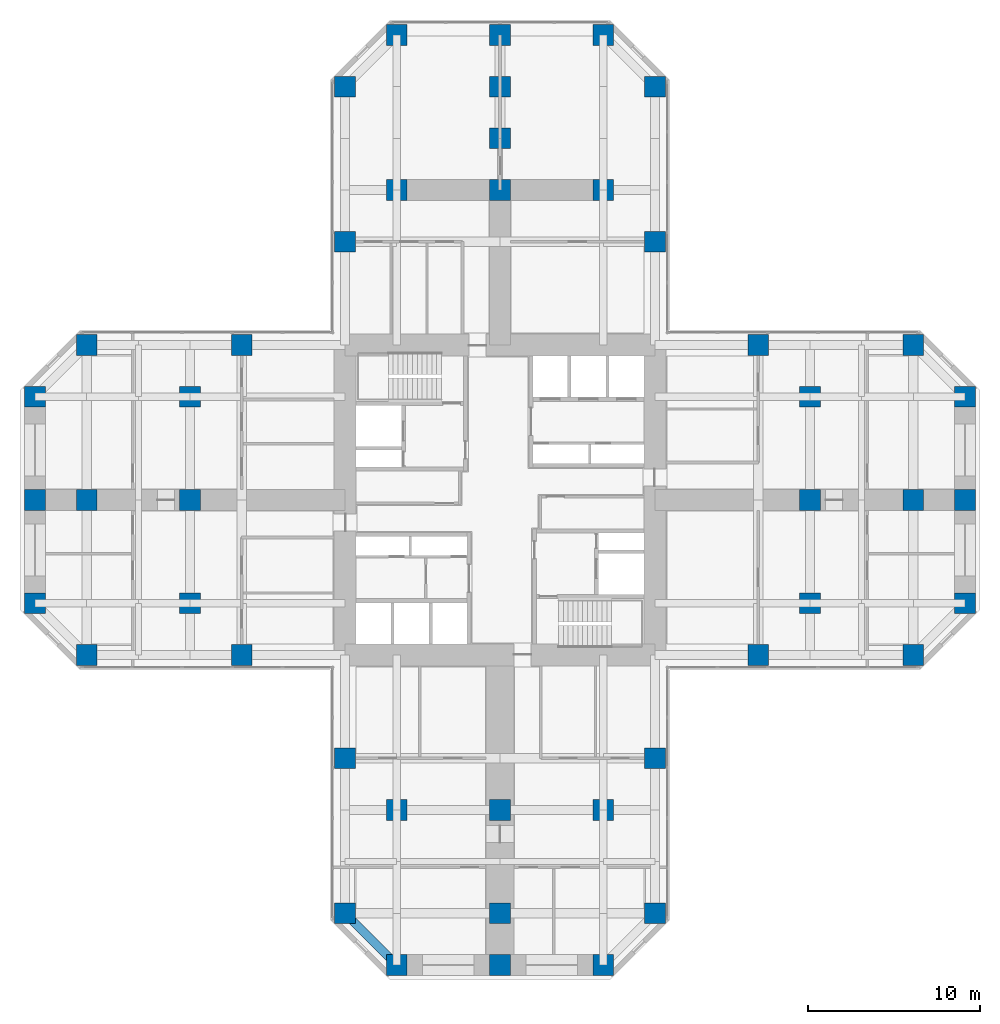
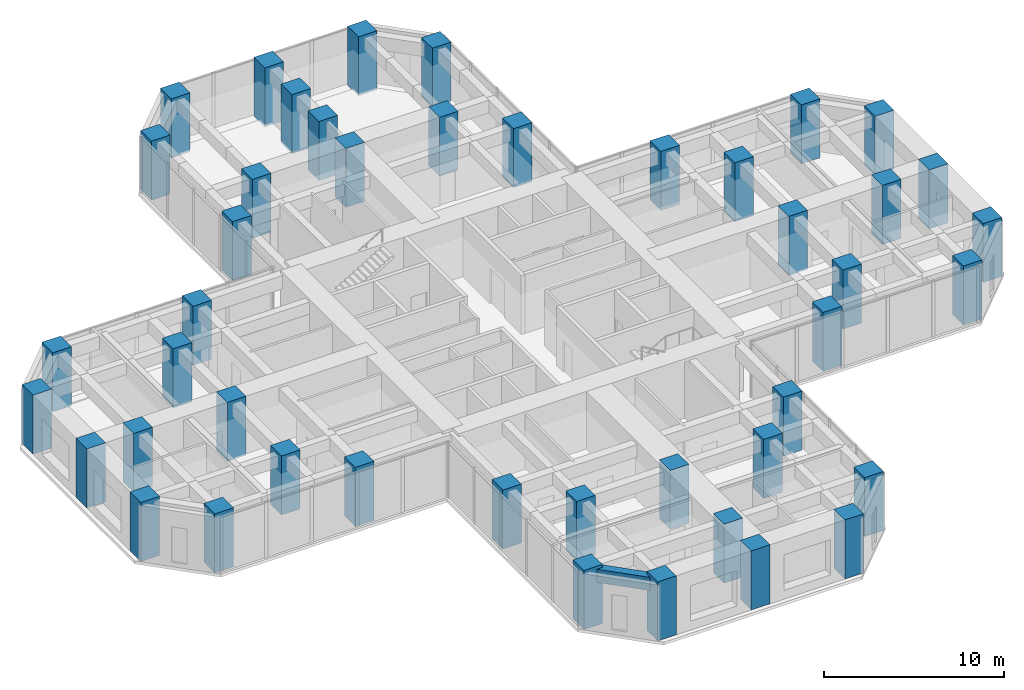
# One storey, part 1 of 13: 45 columns, 1 beam.
"""IFC4 building model written with IfcOpenShell, lengths in metres."""

from ifc_helpers import new_model, si_unit, direction, frame, origin, origin_2d, place, context, subcontext, project, spatial, rectangle, extrude, material, material_profile, profile_set, type_object, element, save


model = new_model("IFC4")

# Units and contexts
model_context = context("Model", 3, precision=1e-05, world=origin(), true_north=direction((0.0, 1.0)))
body_context = subcontext(model_context, "Body", "Model", "MODEL_VIEW")
ifc_project = project(units=[si_unit("LENGTHUNIT", "METRE"), si_unit("AREAUNIT", "SQUARE_METRE"), si_unit("VOLUMEUNIT", "CUBIC_METRE"), si_unit("PLANEANGLEUNIT", "RADIAN"), si_unit("MASSUNIT", "GRAM", prefix="KILO")], contexts=[model_context])

# Site, building, storey
site_placement = place(None, origin())
site = spatial("IfcSite", under=ifc_project, at=site_placement, CompositionType="ELEMENT")
building_placement = place(site_placement, origin())
building = spatial("IfcBuilding", under=site, at=building_placement, Name="Torre Cruceta", CompositionType="ELEMENT")
storey_placement = place(building_placement, frame((0.0, 0.0, 51.5)))
storey = spatial("IfcBuildingStorey", under=building, at=storey_placement, Name="L12", CompositionType="ELEMENT", Elevation=51.5)

# Columns
ifc_material_1 = material(Name="Concrete G60 (fck 60 MPa)", Category="concrete")
ifc_material_profile_1 = material_profile(ifc_material_1, rectangle(XDim=1.199951171875, YDim=1.199951171875, at=origin_2d()), Name="RC 1200X1200")
ifc_profile_set_1 = profile_set([ifc_material_profile_1], Name="Concrete G60 (fck 60 MPa)")
column_type = type_object("IfcColumnType", Name="COLUMN RC 1200X1200", PredefinedType="COLUMN", material=ifc_profile_set_1)
for number, where, z_axis, x_axis, name in (
    (1, (9.0, 15.0, 0.0), (0.0, 0.0, 1.0), (1.0, 0.0, 0.0), "C3 L12 N side"),
    (2, (9.0, 24.0, 0.0), (0.0, 0.0, 1.0), (1.0, 0.0, 0.0), "C3 L12 N chamfer"),
    (3, (-9.0, 15.0, 0.0), (0.0, 0.0, 1.0), (1.0, 0.0, 0.0), "C3 L12 N side"),
    (4, (-9.0, 24.0, 0.0), (0.0, 0.0, 1.0), (1.0, 0.0, 0.0), "C3 L12 N chamfer"),
    (5, (6.0, 27.0, 0.0), (0.0, 0.0, 1.0), (1.0, 0.0, 0.0), "C3 L12 N tip"),
    (6, (0.0, 27.0, 0.0), (0.0, 0.0, 1.0), (1.0, 0.0, 0.0), "C3 L12 N tip"),
    (7, (-6.0, 27.0, 0.0), (0.0, 0.0, 1.0), (1.0, 0.0, 0.0), "C3 L12 N tip"),
    (8, (15.0, -9.0, 0.0), (0.0, 0.0, 1.0), (1.0, 0.0, 0.0), "C3 L12 E side"),
    (9, (24.0, -9.0, 0.0), (0.0, 0.0, 1.0), (1.0, 0.0, 0.0), "C3 L12 E chamfer"),
    (10, (15.0, 9.0, 0.0), (0.0, 0.0, 1.0), (1.0, 0.0, 0.0), "C3 L12 E side"),
    (11, (24.0, 9.0, 0.0), (0.0, 0.0, 1.0), (1.0, 0.0, 0.0), "C3 L12 E chamfer"),
    (12, (27.0, -6.0, 0.0), (0.0, 0.0, 1.0), (1.0, 0.0, 0.0), "C3 L12 E tip"),
    (13, (27.0, 0.0, 0.0), (0.0, 0.0, 1.0), (1.0, 0.0, 0.0), "C3 L12 E tip"),
    (14, (27.0, 6.0, 0.0), (0.0, 0.0, 1.0), (1.0, 0.0, 0.0), "C3 L12 E tip"),
    (15, (-9.0, -15.0, 0.0), (0.0, 0.0, 1.0), (1.0, 0.0, 0.0), "C3 L12 S side"),
    (16, (-9.0, -24.0, 0.0), (0.0, 0.0, 1.0), (1.0, 0.0, 0.0), "C3 L12 S chamfer"),
    (17, (9.0, -15.0, 0.0), (0.0, 0.0, 1.0), (1.0, 0.0, 0.0), "C3 L12 S side"),
    (18, (9.0, -24.0, 0.0), (0.0, 0.0, 1.0), (1.0, 0.0, 0.0), "C3 L12 S chamfer"),
    (19, (-6.0, -27.0, 0.0), (0.0, 0.0, 1.0), (1.0, 0.0, 0.0), "C3 L12 S tip"),
    (20, (0.0, -27.0, 0.0), (0.0, 0.0, 1.0), (1.0, 0.0, 0.0), "C3 L12 S tip"),
    (21, (6.0, -27.0, 0.0), (0.0, 0.0, 1.0), (1.0, 0.0, 0.0), "C3 L12 S tip"),
    (22, (-15.0, 9.0, 0.0), (0.0, 0.0, 1.0), (1.0, 0.0, 0.0), "C3 L12 W side"),
    (23, (-24.0, 9.0, 0.0), (0.0, 0.0, 1.0), (1.0, 0.0, 0.0), "C3 L12 W chamfer"),
    (24, (-15.0, -9.0, 0.0), (0.0, 0.0, 1.0), (1.0, 0.0, 0.0), "C3 L12 W side"),
    (25, (-24.0, -9.0, 0.0), (0.0, 0.0, 1.0), (1.0, 0.0, 0.0), "C3 L12 W chamfer"),
    (26, (-27.0, 6.0, 0.0), (0.0, 0.0, 1.0), (1.0, 0.0, 0.0), "C3 L12 W tip"),
    (27, (-27.0, 0.0, 0.0), (0.0, 0.0, 1.0), (1.0, 0.0, 0.0), "C3 L12 W tip"),
    (28, (-27.0, -6.0, 0.0), (0.0, 0.0, 1.0), (1.0, 0.0, 0.0), "C3 L12 W tip"),
    (29, (6.0, 18.0, 0.0), (0.0, 0.0, 1.0), (1.0, 0.0, 0.0), "C3 L12 N interior"),
    (30, (0.0, 18.0, 0.0), (0.0, 0.0, 1.0), (1.0, 0.0, 0.0), "C3 L12 N interior"),
    (31, (-6.0, 18.0, 0.0), (0.0, 0.0, 1.0), (1.0, 0.0, 0.0), "C3 L12 N interior"),
    (32, (0.0, 21.0, 0.0), (0.0, 0.0, 1.0), (1.0, 0.0, 0.0), "C3 L12 N interior"),
    (33, (0.0, 24.0, 0.0), (0.0, 0.0, 1.0), (1.0, 0.0, 0.0), "C3 L12 N interior"),
    (34, (18.0, -6.0, 0.0), (0.0, 0.0, 1.0), (1.0, 0.0, 0.0), "C3 L12 E interior"),
    (35, (18.0, 0.0, 0.0), (0.0, 0.0, 1.0), (1.0, 0.0, 0.0), "C3 L12 E interior"),
    (36, (18.0, 6.0, 0.0), (0.0, 0.0, 1.0), (1.0, 0.0, 0.0), "C3 L12 E interior"),
    (37, (24.0, 0.0, 0.0), (0.0, 0.0, 1.0), (1.0, 0.0, 0.0), "C3 L12 E interior"),
    (38, (-6.0, -18.0, 0.0), (0.0, 0.0, 1.0), (1.0, 0.0, 0.0), "C3 L12 S interior"),
    (39, (0.0, -18.0, 0.0), (0.0, 0.0, 1.0), (1.0, 0.0, 0.0), "C3 L12 S interior"),
    (40, (6.0, -18.0, 0.0), (0.0, 0.0, 1.0), (1.0, 0.0, 0.0), "C3 L12 S interior"),
    (41, (0.0, -24.0, 0.0), (0.0, 0.0, 1.0), (1.0, 0.0, 0.0), "C3 L12 S interior"),
    (42, (-18.0, 6.0, 0.0), (0.0, 0.0, 1.0), (1.0, 0.0, 0.0), "C3 L12 W interior"),
    (43, (-18.0, 0.0, 0.0), (0.0, 0.0, 1.0), (1.0, 0.0, 0.0), "C3 L12 W interior"),
    (44, (-18.0, -6.0, 0.0), (0.0, 0.0, 1.0), (1.0, 0.0, 0.0), "C3 L12 W interior"),
    (45, (-24.0, 0.0, 0.0), (0.0, 0.0, 1.0), (1.0, 0.0, 0.0), "C3 L12 W interior"),
):
    element("IfcColumn", number, at=place(storey_placement, frame(where, z_axis=z_axis, x_axis=x_axis)), inside=storey, type_object=column_type, Name=name, PredefinedType="COLUMN", context=body_context, shape_type="SweptSolid", body=[
        extrude(rectangle(XDim=1.199951171875, YDim=1.199951171875, at=origin_2d()), origin(), (0.0, 0.0, 1.0), 4.0),
    ])

# Beam
ifc_material_2 = material(Name="Concrete G60 (fck 60 MPa)", Category="concrete")
ifc_material_profile_2 = material_profile(ifc_material_2, rectangle(XDim=0.5, YDim=0.89990234375, at=origin_2d()), Name="RC 500X900")
ifc_profile_set_2 = profile_set([ifc_material_profile_2], Name="Concrete G60 (fck 60 MPa)")
beam_type = type_object("IfcBeamType", Name="SPANDREL BEAM RC 500X900", PredefinedType="SPANDREL", material=ifc_profile_set_2)
beam_placement = place(storey_placement, frame((-9.0, -24.0, 3.35009765625), z_axis=(0.707106781187, -0.707106781187, 0.0), x_axis=(0.707106781187, 0.707106781187, 0.0)))
element("IfcBeam", 46, at=beam_placement, inside=storey, type_object=beam_type, Name="SB4 L12 S side- 5", PredefinedType="SPANDREL", context=body_context, shape_type="SweptSolid", body=[
    extrude(rectangle(XDim=0.5, YDim=0.89990234375, at=origin_2d()), origin(), (0.0, 0.0, 1.0), 4.24267578125),
])

save(model, "model.ifc")
